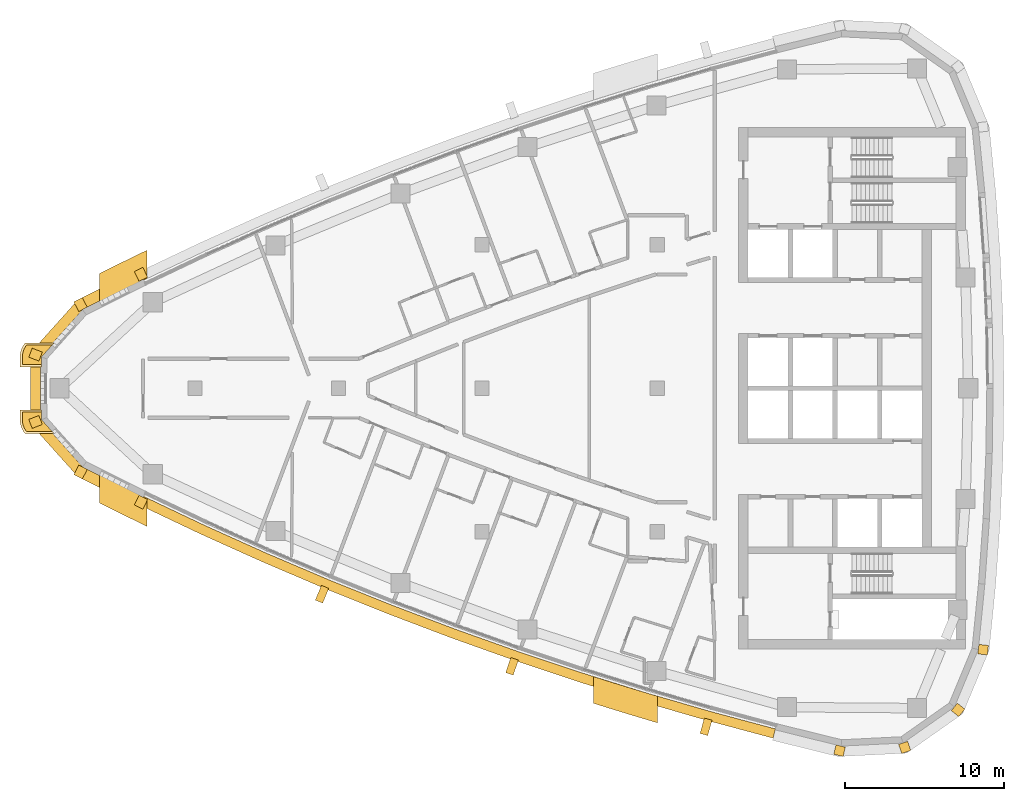
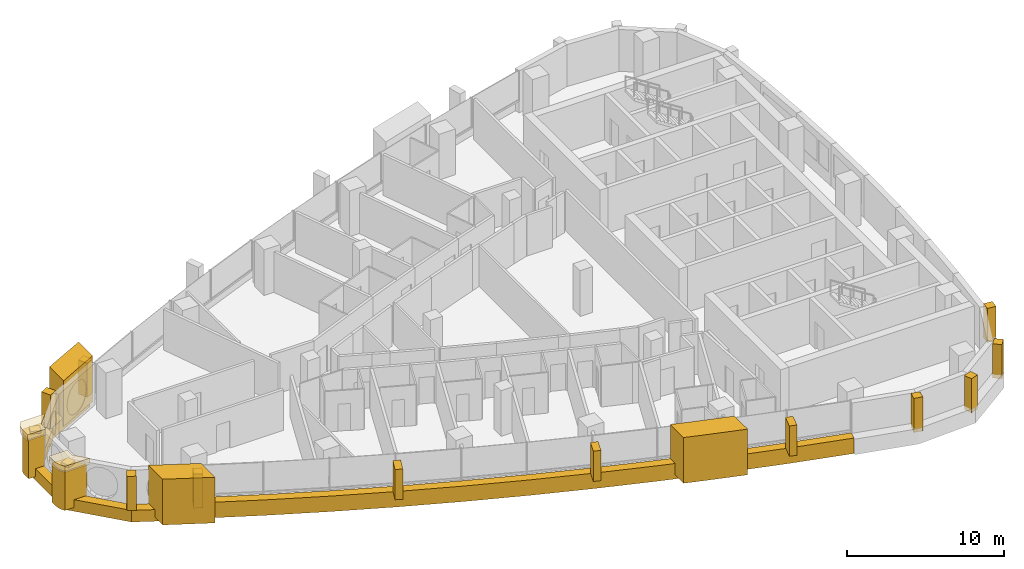
# One storey, part 13 of 16: 22 coverings.
"""IFC4 building model written with IfcOpenShell, lengths in metres."""

import ifcopenshell
import ifcopenshell.guid

model = None  # the IFC model being written
_history = None  # IfcOwnerHistory: only IFC2X3 demands one
_inside = {}  # id of a spatial element -> (the spatial element, [elements in it])
_under = {}  # id of a project, library or spatial element -> (it, [spatial elements below it])
_declared = {}  # id of a project -> (the project, [libraries it declares])
_typed = {}  # id of a type object -> (the type object, [elements of that type])
_made_of = {}  # id of a material, layer set ... -> (it, [elements and type objects made of it])


def new_model(schema):
    """Start an empty IFC model of exactly this schema.

    Asked for "IFC4X3", IfcOpenShell would pick the latest addendum, in which some entities
    have other attributes; the version numbers below select the first issue.
    IFC2X3 requires an IfcOwnerHistory on every rooted entity: one is made here for all.
    """
    global model, _history
    if schema == "IFC4X3":
        model = ifcopenshell.file(schema_version=(4, 3, 0, 0))
    else:
        model = ifcopenshell.file(schema=schema)
    _inside.clear()
    _under.clear()
    _declared.clear()
    _typed.clear()
    _made_of.clear()
    _history = None
    if model.schema == "IFC2X3":
        org = make("IfcOrganization", Name="unknown")
        user = make(
            "IfcPersonAndOrganization",
            ThePerson=make("IfcPerson", FamilyName="unknown"),
            TheOrganization=org,
        )
        app = make(
            "IfcApplication",
            ApplicationDeveloper=org,
            Version="unknown",
            ApplicationFullName="unknown",
            ApplicationIdentifier="unknown",
        )
        _history = make(
            "IfcOwnerHistory",
            OwningUser=user,
            OwningApplication=app,
            ChangeAction="ADDED",
            CreationDate=0,
        )
    return model


def make(cls, **values):
    """One entity of the class cls with the attributes given. An attribute that is None is left unset."""
    return model.create_entity(
        cls, **{name: value for name, value in values.items() if value is not None}
    )


def rooted(cls, **values):
    """An entity with a GlobalId (a new one), such as an element, a storey or a relation."""
    return make(cls, GlobalId=ifcopenshell.guid.new(), OwnerHistory=_history, **values)


def si_unit(unit_type, name, prefix=None):
    """IfcSIUnit, for example si_unit("LENGTHUNIT", "METRE", prefix="MILLI")."""
    return make("IfcSIUnit", UnitType=unit_type, Prefix=prefix, Name=name)


def assignment(units):
    """IfcUnitAssignment: the units of a project."""
    return None if units is None else make("IfcUnitAssignment", Units=units)


def point(xyz):
    """IfcCartesianPoint."""
    return None if xyz is None else make("IfcCartesianPoint", Coordinates=xyz)


def direction(xyz):
    """IfcDirection."""
    return None if xyz is None else make("IfcDirection", DirectionRatios=xyz)


def frame(location, z_axis=None, x_axis=None):
    """IfcAxis2Placement3D, a coordinate frame: its origin and axes. An axis left out is left unset."""
    return make(
        "IfcAxis2Placement3D",
        Location=point(location),
        Axis=direction(z_axis),
        RefDirection=direction(x_axis),
    )


def frame_2d(location, x_axis=None):
    """IfcAxis2Placement2D, a coordinate frame in the plane: its origin and x axis."""
    return make(
        "IfcAxis2Placement2D", Location=point(location), RefDirection=direction(x_axis)
    )


def origin():
    """The frame at (0, 0, 0) with its axes left unset."""
    return frame((0.0, 0.0, 0.0))


def place(relative_to, where):
    """IfcLocalPlacement: puts the frame where relative to a parent placement (None: the world)."""
    return make(
        "IfcLocalPlacement", PlacementRelTo=relative_to, RelativePlacement=where
    )


def context(
    kind, dimensions, precision=None, world=None, true_north=None, identifier=None
):
    """IfcGeometricRepresentationContext, for example the 3D "Model" context."""
    return make(
        "IfcGeometricRepresentationContext",
        ContextIdentifier=identifier,
        ContextType=kind,
        CoordinateSpaceDimension=dimensions,
        Precision=precision,
        WorldCoordinateSystem=world,
        TrueNorth=true_north,
    )


def subcontext(parent, identifier, kind, view, scale=None):
    """IfcGeometricRepresentationSubContext, for example "Body" below "Model"."""
    return make(
        "IfcGeometricRepresentationSubContext",
        ContextIdentifier=identifier,
        ContextType=kind,
        ParentContext=parent,
        TargetScale=scale,
        TargetView=view,
    )


def project(units=None, contexts=None):
    """IfcProject with its units and contexts."""
    return rooted(
        "IfcProject",
        Name="project",
        RepresentationContexts=contexts,
        UnitsInContext=assignment(units),
    )


def spatial(cls, under=None, at=None, **own):
    """A site, building, storey or space (cls), placed at a placement, below another one or the project."""
    s = rooted(cls, ObjectPlacement=at, **own)
    if under is not None:
        _under.setdefault(under.id(), (under, []))[1].append(s)
    return s


def polyline(points):
    """IfcPolyline through the points."""
    return make("IfcPolyline", Points=[point(p) for p in points])


def profile(cls, at=None, kind="AREA", **sizes):
    """A parametric profile (cls). Its sizes go by their IFC names, for example OverallWidth=200.0."""
    return make(cls, ProfileType=kind, Position=at, **sizes)


def rectangle(**sizes):
    """IfcRectangleProfileDef."""
    return profile("IfcRectangleProfileDef", **sizes)


def outline(outer, holes=None, kind="AREA"):
    """IfcArbitraryClosedProfileDef: a profile drawn as a closed curve; with holes, ...WithVoids."""
    if holes is None:
        return make("IfcArbitraryClosedProfileDef", ProfileType=kind, OuterCurve=outer)
    return make(
        "IfcArbitraryProfileDefWithVoids",
        ProfileType=kind,
        OuterCurve=outer,
        InnerCurves=holes,
    )


def extrude(swept, where, along, depth):
    """IfcExtrudedAreaSolid: the profile swept, set in the frame where, extruded along a direction by depth."""
    return make(
        "IfcExtrudedAreaSolid",
        SweptArea=swept,
        Position=where,
        ExtrudedDirection=direction(along),
        Depth=depth,
    )


def shape(context_of_items, identifier, shape_type, items):
    """IfcShapeRepresentation: the items that make up one representation, for example the "Body"."""
    return make(
        "IfcShapeRepresentation",
        ContextOfItems=context_of_items,
        RepresentationIdentifier=identifier,
        RepresentationType=shape_type,
        Items=items,
    )


def material(Name=None, Category=None):
    """IfcMaterial."""
    return make("IfcMaterial", Name=Name, Category=Category)


def layer(
    of_material, thickness, ventilated=None, Name=None, Category=None, Priority=None
):
    """IfcMaterialLayer: one layer of a wall or slab, of a material (None: an air gap)."""
    return make(
        "IfcMaterialLayer",
        Material=of_material,
        LayerThickness=thickness,
        IsVentilated=ventilated,
        Name=Name,
        Category=Category,
        Priority=Priority,
    )


def layer_set(layers, Name=None):
    """IfcMaterialLayerSet."""
    return make("IfcMaterialLayerSet", MaterialLayers=layers, LayerSetName=Name)


def made_of(thing, what):
    """Note that an element or type object is made of a material, layer set ...; save() writes the relation."""
    if what is not None:
        _made_of.setdefault(what.id(), (what, []))[1].append(thing)
    return thing


def type_object(cls, material=None, **own):
    """A type object (cls), such as IfcWallType, which elements share."""
    return made_of(rooted(cls, **own), material)


def element(
    cls,
    number,
    at=None,
    inside=None,
    cuts=None,
    type_object=None,
    material=None,
    context=None,
    identifier="Body",
    shape_type=None,
    held_by="IfcProductDefinitionShape",
    body=None,
    shapes=None,
    **own,
):
    """One element of the class cls, such as IfcWall. Its Tag is "e" and its number.

    at: its placement. inside: the storey or other place that contains it. cuts: it is an
    opening in that element (IfcRelVoidsElement). A single representation is given by context,
    identifier, shape_type and body (its items); several are given by shapes. held_by: the class
    of the entity that holds the representations. save() writes the other relations.
    """
    e = rooted(cls, Tag="e%d" % number, ObjectPlacement=at, **own)
    if body is not None:
        shapes = [shape(context, identifier, shape_type, body)]
    if shapes is not None:
        e.Representation = make(held_by, Representations=shapes)
    if inside is not None:
        _inside.setdefault(inside.id(), (inside, []))[1].append(e)
    if cuts is not None:
        rooted(
            "IfcRelVoidsElement", RelatingBuildingElement=cuts, RelatedOpeningElement=e
        )
    if type_object is not None:
        _typed.setdefault(type_object.id(), (type_object, []))[1].append(e)
    return made_of(e, material)


def aggregate(whole, parts):
    """IfcRelAggregates: a whole, such as a stair, and the parts it consists of."""
    return rooted("IfcRelAggregates", RelatingObject=whole, RelatedObjects=parts)


def save(model, path):
    """Write the relations noted so far, then the file.

    IfcRelAggregates (storeys below a building ...), IfcRelContainedInSpatialStructure (elements
    in a storey), IfcRelDefinesByType, IfcRelAssociatesMaterial and IfcRelDeclares: one each for
    every whole, place, type object, material and project.
    """
    for whole, parts in _under.values():
        aggregate(whole, parts)
    for where, things in _inside.values():
        rooted(
            "IfcRelContainedInSpatialStructure",
            RelatedElements=things,
            RelatingStructure=where,
        )
    for kind, things in _typed.values():
        rooted("IfcRelDefinesByType", RelatedObjects=things, RelatingType=kind)
    for what, things in _made_of.values():
        rooted("IfcRelAssociatesMaterial", RelatedObjects=things, RelatingMaterial=what)
    for by, libraries in _declared.values():
        rooted("IfcRelDeclares", RelatingContext=by, RelatedDefinitions=libraries)
    model.write(path)


model = new_model("IFC4")

# Units and contexts
model_context = context("Model", 3, precision=1e-05, world=origin(), true_north=direction((0.0, 1.0)))
body_context = subcontext(model_context, "Body", "Model", "MODEL_VIEW")
ifc_project = project(units=[si_unit("LENGTHUNIT", "METRE"), si_unit("AREAUNIT", "SQUARE_METRE"), si_unit("VOLUMEUNIT", "CUBIC_METRE"), si_unit("PLANEANGLEUNIT", "RADIAN"), si_unit("MASSUNIT", "GRAM", prefix="KILO")], contexts=[model_context])

# Site, building, storey
site_placement = place(None, origin())
site = spatial("IfcSite", under=ifc_project, at=site_placement, CompositionType="ELEMENT")
building_placement = place(site_placement, origin())
building = spatial("IfcBuilding", under=site, at=building_placement, Name="Ostrand Prow Hotel Tower", CompositionType="ELEMENT")
storey_placement = place(building_placement, frame((0.0, 0.0, 252.75)))
storey = spatial("IfcBuildingStorey", under=building, at=storey_placement, Name="L64", CompositionType="ELEMENT", Elevation=252.75)

# Coverings
ifc_material_1 = material(Name="Bronze anodised aluminium cladding", Category="aluminium")
ifc_layer_1 = layer(ifc_material_1, 0.60009765625)
ifc_layer_set_1 = layer_set([ifc_layer_1], Name="Bronze anodised aluminium cladding")
covering_type_1 = type_object("IfcCoveringType", Name="Bronze prow band 899x600", PredefinedType="CLADDING", material=ifc_layer_set_1)
covering_1_placement = place(storey_placement, frame((0.0, 0.0, -0.300048828125)))
element("IfcCovering", 1, at=covering_1_placement, inside=storey, type_object=covering_type_1, Name="Bronze prow band", PredefinedType="CLADDING", context=body_context, shape_type="SweptSolid", body=[
    extrude(outline(polyline([(12.464111328125, 7.451904296875), (8.668212890625, 5.55517578125), (5.685302734375, 2.232666015625), (5.685302734375, -2.232666015625), (8.668212890625, -5.55517578125), (12.464111328125, -7.451904296875), (12.76171875, -6.840576171875), (8.97802734375, -4.949951171875), (6.3203125, -1.9892578125), (6.3203125, 1.9892578125), (8.97802734375, 4.949951171875), (12.76171875, 6.840576171875), (12.464111328125, 7.451904296875)])), origin(), (0.0, 0.0, 1.0), 0.900146484375),
])
ifc_material_2 = material(Name="Bronze anodised aluminium cladding", Category="aluminium")
ifc_layer_2 = layer(ifc_material_2, 0.60009765625)
ifc_layer_set_2 = layer_set([ifc_layer_2], Name="Bronze anodised aluminium cladding")
covering_type_2 = type_object("IfcCoveringType", Name="Bronze spandrel band 1200x600", PredefinedType="CLADDING", material=ifc_layer_set_2)
covering_2_placement = place(storey_placement, frame((0.0, 0.0, -0.300048828125)))
element("IfcCovering", 2, at=covering_2_placement, inside=storey, type_object=covering_type_2, Name="Spandrel band S1", PredefinedType="CLADDING", context=body_context, shape_type="SweptSolid", body=[
    extrude(outline(polyline([(12.526123046875, -7.324462890625), (16.35693359375, -9.14306640625), (20.2236328125, -10.88427734375), (24.12451171875, -12.547119140625), (28.058349609375, -14.131103515625), (32.02294921875, -15.635498046875), (36.017333984375, -17.059814453125), (40.039306640625, -18.403564453125), (44.087890625, -19.665771484375), (48.16064453125, -20.846435546875), (52.256591796875, -21.944580078125), (52.40625, -21.363525390625), (48.322021484375, -20.268310546875), (44.260498046875, -19.09130859375), (40.223876953125, -17.83251953125), (36.213134765625, -16.49267578125), (32.230224609375, -15.072509765625), (28.27685546875, -13.572265625), (24.354248046875, -11.992919921875), (20.464599609375, -10.334716796875), (16.60888671875, -8.598388671875), (12.788818359375, -6.784912109375), (12.526123046875, -7.324462890625)])), origin(), (0.0, 0.0, 1.0), 1.199951171875),
])
ifc_material_3 = material(Name="Limestone cladding", Category="masonry")
ifc_layer_3 = layer(ifc_material_3, 5.0)
ifc_layer_set_3 = layer_set([ifc_layer_3], Name="Limestone cladding")
covering_type_3 = type_object("IfcCoveringType", Name="Portal jamb pilaster limestone", PredefinedType="CLADDING", material=ifc_layer_set_3)
covering_3_placement = place(storey_placement, origin())
element("IfcCovering", 3, at=covering_3_placement, inside=storey, type_object=covering_type_3, Name="Portal jamb SA L64", PredefinedType="CLADDING", context=body_context, shape_type="SweptSolid", body=[
    extrude(outline(polyline([(10.0, -5.40087890625), (10.0, -7.19189453125), (11.0, -7.689453125), (12.0, -8.180419921875), (13.0, -8.664794921875), (13.0, -6.8876953125), (12.0, -6.398681640625), (11.0, -5.903076171875), (10.0, -5.40087890625)])), origin(), (0.0, 0.0, 1.0), 3.550048828125),
])
covering_4_placement = place(storey_placement, origin())
element("IfcCovering", 4, at=covering_4_placement, inside=storey, type_object=covering_type_3, Name="Portal jamb SB L64", PredefinedType="CLADDING", context=body_context, shape_type="SweptSolid", body=[
    extrude(outline(polyline([(41.0, -18.08154296875), (41.0, -19.760009765625), (42.0, -20.0732421875), (43.0, -20.381103515625), (44.0, -20.68359375), (45.0, -20.980712890625), (45.0, -19.312255859375), (44.0, -19.0126953125), (43.0, -18.707763671875), (42.0, -18.3974609375), (41.0, -18.08154296875)])), origin(), (0.0, 0.0, 1.0), 3.550048828125),
])
covering_5_placement = place(storey_placement, origin())
element("IfcCovering", 5, at=covering_5_placement, inside=storey, type_object=covering_type_3, Name="Portal jamb NA L64", PredefinedType="CLADDING", context=body_context, shape_type="SweptSolid", body=[
    extrude(outline(polyline([(10.0, 5.40087890625), (11.0, 5.903076171875), (12.0, 6.398681640625), (13.0, 6.8876953125), (13.0, 8.664794921875), (12.0, 8.180419921875), (11.0, 7.689453125), (10.0, 7.19189453125), (10.0, 5.40087890625)])), origin(), (0.0, 0.0, 1.0), 3.550048828125),
])
ifc_material_4 = material(Name="Limestone cladding", Category="masonry")
ifc_layer_4 = layer(ifc_material_4, 0.5)
ifc_layer_set_4 = layer_set([ifc_layer_4], Name="Limestone cladding")
covering_type_4 = type_object("IfcCoveringType", Name="Precast stone fin 500x900", PredefinedType="CLADDING", material=ifc_layer_set_4)
for number, where, z_axis, x_axis, name in (
    (6, (24.162841796875, -12.45458984375, 0.89990234375), (0.0, 0.0, 1.0), (-0.382811769845, -0.923826362943, 0.0), "Stone fin S 4"),
    (7, (36.0498046875, -16.96533203125, 0.89990234375), (0.0, 0.0, 1.0), (-0.326389393469, -0.945235401279, 0.0), "Stone fin S 7"),
    (8, (48.1875, -20.75, 0.89990234375), (0.0, 0.0, 1.0), (-0.26852507925, -0.963272693381, 0.0), "Stone fin S 10"),
):
    element("IfcCovering", number, at=place(storey_placement, frame(where, z_axis=z_axis, x_axis=x_axis)), inside=storey, type_object=covering_type_4, Name=name, PredefinedType="CLADDING", context=body_context, shape_type="SweptSolid", body=[
        extrude(rectangle(XDim=1.0, YDim=0.5, at=frame_2d((0.5, 0.0))), origin(), (0.0, 0.0, 1.0), 2.35009765625),
    ])
ifc_material_5 = material(Name="Limestone cladding", Category="masonry")
ifc_layer_5 = layer(ifc_material_5, 0.60009765625)
ifc_layer_set_5 = layer_set([ifc_layer_5], Name="Limestone cladding")
covering_type_5 = type_object("IfcCoveringType", Name="Precast stone prow rib 600x600", PredefinedType="CLADDING", material=ifc_layer_set_5)
for number, where, z_axis, x_axis, name in (
    (9, (12.76171875, 6.840576171875, 0.60009765625), (0.0, 0.0, 1.0), (-0.437708972644, 0.899116708368, 0.0), "Stone prow rib 1"),
    (10, (8.97802734375, 4.949951171875, 0.60009765625), (0.0, 0.0, 1.0), (-0.455667721738, 0.890149946563, 0.0), "Stone prow rib 2"),
):
    element("IfcCovering", number, at=place(storey_placement, frame(where, z_axis=z_axis, x_axis=x_axis)), inside=storey, type_object=covering_type_5, Name=name, PredefinedType="CLADDING", context=body_context, shape_type="SweptSolid", body=[
        extrude(rectangle(XDim=0.679931640625, YDim=0.60009765625, at=frame_2d((0.33984375, 0.0))), origin(), (0.0, 0.0, 1.0), 2.64990234375),
    ])
for number, where, z_axis, x_axis, name in (
    (11, (6.3203125, 1.9892578125, 0.60009765625), (0.0, 0.0, 1.0), (-0.9337521164, 0.357920361419, 0.0), "Stone prow rib 3"),
    (12, (6.3203125, -1.9892578125, 0.60009765625), (0.0, 0.0, 1.0), (-0.9337521164, -0.357920361419, 0.0), "Stone prow rib 4"),
):
    element("IfcCovering", number, at=place(storey_placement, frame(where, z_axis=z_axis, x_axis=x_axis)), inside=storey, type_object=covering_type_5, Name=name, PredefinedType="CLADDING", context=body_context, shape_type="SweptSolid", body=[
        extrude(rectangle(XDim=0.68017578125, YDim=0.60009765625, at=frame_2d((0.340087890625, 0.0))), origin(), (0.0, 0.0, 1.0), 2.64990234375),
    ])
for number, where, z_axis, x_axis, name in (
    (13, (8.97802734375, -4.949951171875, 0.60009765625), (0.0, 0.0, 1.0), (-0.455667721738, -0.890149946563, 0.0), "Stone prow rib 5"),
    (14, (12.76171875, -6.840576171875, 0.60009765625), (0.0, 0.0, 1.0), (-0.437708972644, -0.899116708368, 0.0), "Stone prow rib 6"),
):
    element("IfcCovering", number, at=place(storey_placement, frame(where, z_axis=z_axis, x_axis=x_axis)), inside=storey, type_object=covering_type_5, Name=name, PredefinedType="CLADDING", context=body_context, shape_type="SweptSolid", body=[
        extrude(rectangle(XDim=0.679931640625, YDim=0.60009765625, at=frame_2d((0.33984375, 0.0))), origin(), (0.0, 0.0, 1.0), 2.64990234375),
    ])
for number, where, z_axis, x_axis, name in (
    (15, (56.49755859375, -22.436279296875, 0.60009765625), (0.0, 0.0, 1.0), (-0.229878322855, -0.973219377469, 0.0), "Stone corner rib 2a"),
    (16, (60.417236328125, -22.240966796875, 0.60009765625), (0.0, 0.0, 1.0), (0.325489086777, -0.945545797087, 0.0), "Stone corner rib 3a"),
    (17, (63.62744140625, -19.98291015625, 0.60009765625), (0.0, 0.0, 1.0), (0.779994736518, -0.625786074473, 0.0), "Stone corner rib 4a"),
    (18, (65.13623046875, -16.35986328125, 0.60009765625), (0.0, 0.0, 1.0), (0.993628058569, -0.112708833834, 0.0), "Stone corner rib 4b"),
):
    element("IfcCovering", number, at=place(storey_placement, frame(where, z_axis=z_axis, x_axis=x_axis)), inside=storey, type_object=covering_type_5, Name=name, PredefinedType="CLADDING", context=body_context, shape_type="SweptSolid", body=[
        extrude(rectangle(XDim=0.60009765625, YDim=0.60009765625, at=frame_2d((0.300048828125, 0.0))), origin(), (0.0, 0.0, 1.0), 2.64990234375),
    ])
ifc_material_6 = material(Name="Limestone cladding", Category="masonry")
ifc_layer_6 = layer(ifc_material_6, 3.0)
ifc_layer_set_6 = layer_set([ifc_layer_6], Name="Limestone cladding")
covering_type_6 = type_object("IfcCoveringType", Name="Prow nose pier limestone", PredefinedType="CLADDING", material=ifc_layer_set_6)
covering_6_placement = place(storey_placement, frame((0.0, 0.0, 3.050048828125)))
element("IfcCovering", 19, at=covering_6_placement, inside=storey, type_object=covering_type_6, Name="Prow spine cap N L64", PredefinedType="CLADDING", context=body_context, shape_type="SweptSolid", body=[
    extrude(outline(polyline([(5.02783203125, 1.96728515625), (5.02783203125, 1.35009765625), (6.377685546875, 1.35009765625), (6.377685546875, 1.96728515625), (7.17041015625, 2.85009765625), (5.35791015625, 2.85009765625), (5.28466796875, 2.759521484375), (5.2080078125, 2.64111328125), (5.14404296875, 2.515380859375), (5.093505859375, 2.383544921875), (5.05712890625, 2.247314453125), (5.03515625, 2.108154296875), (5.02783203125, 1.96728515625)])), origin(), (0.0, 0.0, 1.0), 0.5),
])
covering_7_placement = place(storey_placement, origin())
element("IfcCovering", 20, at=covering_7_placement, inside=storey, type_object=covering_type_6, Name="Prow spine fin N L64", PredefinedType="CLADDING", context=body_context, shape_type="SweptSolid", body=[
    extrude(outline(polyline([(5.177734375, 1.96728515625), (5.177734375, 1.5), (6.377685546875, 1.5), (6.377685546875, 1.96728515625), (7.03564453125, 2.699951171875), (5.42919921875, 2.699951171875), (5.406005859375, 2.67138671875), (5.337890625, 2.566162109375), (5.28125, 2.454345703125), (5.236328125, 2.33740234375), (5.203857421875, 2.21630859375), (5.184326171875, 2.09228515625), (5.177734375, 1.96728515625)])), origin(), (0.0, 0.0, 1.0), 3.050048828125),
])
covering_8_placement = place(storey_placement, frame((0.0, 0.0, 3.050048828125)))
element("IfcCovering", 21, at=covering_8_placement, inside=storey, type_object=covering_type_6, Name="Prow spine cap S L64", PredefinedType="CLADDING", context=body_context, shape_type="SweptSolid", body=[
    extrude(outline(polyline([(5.28466796875, -2.759521484375), (5.35791015625, -2.85009765625), (7.17041015625, -2.85009765625), (6.377685546875, -1.96728515625), (6.377685546875, -1.35009765625), (5.02783203125, -1.35009765625), (5.02783203125, -1.96728515625), (5.03515625, -2.108154296875), (5.05712890625, -2.247314453125), (5.093505859375, -2.383544921875), (5.14404296875, -2.515380859375), (5.2080078125, -2.64111328125), (5.28466796875, -2.759521484375)])), origin(), (0.0, 0.0, 1.0), 0.5),
])
covering_9_placement = place(storey_placement, origin())
element("IfcCovering", 22, at=covering_9_placement, inside=storey, type_object=covering_type_6, Name="Prow spine fin S L64", PredefinedType="CLADDING", context=body_context, shape_type="SweptSolid", body=[
    extrude(outline(polyline([(5.406005859375, -2.67138671875), (5.42919921875, -2.699951171875), (7.03564453125, -2.699951171875), (6.377685546875, -1.96728515625), (6.377685546875, -1.5), (5.177734375, -1.5), (5.177734375, -1.96728515625), (5.184326171875, -2.09228515625), (5.203857421875, -2.21630859375), (5.236328125, -2.33740234375), (5.28125, -2.454345703125), (5.337890625, -2.566162109375), (5.406005859375, -2.67138671875)])), origin(), (0.0, 0.0, 1.0), 3.050048828125),
])

save(model, "model.ifc")
